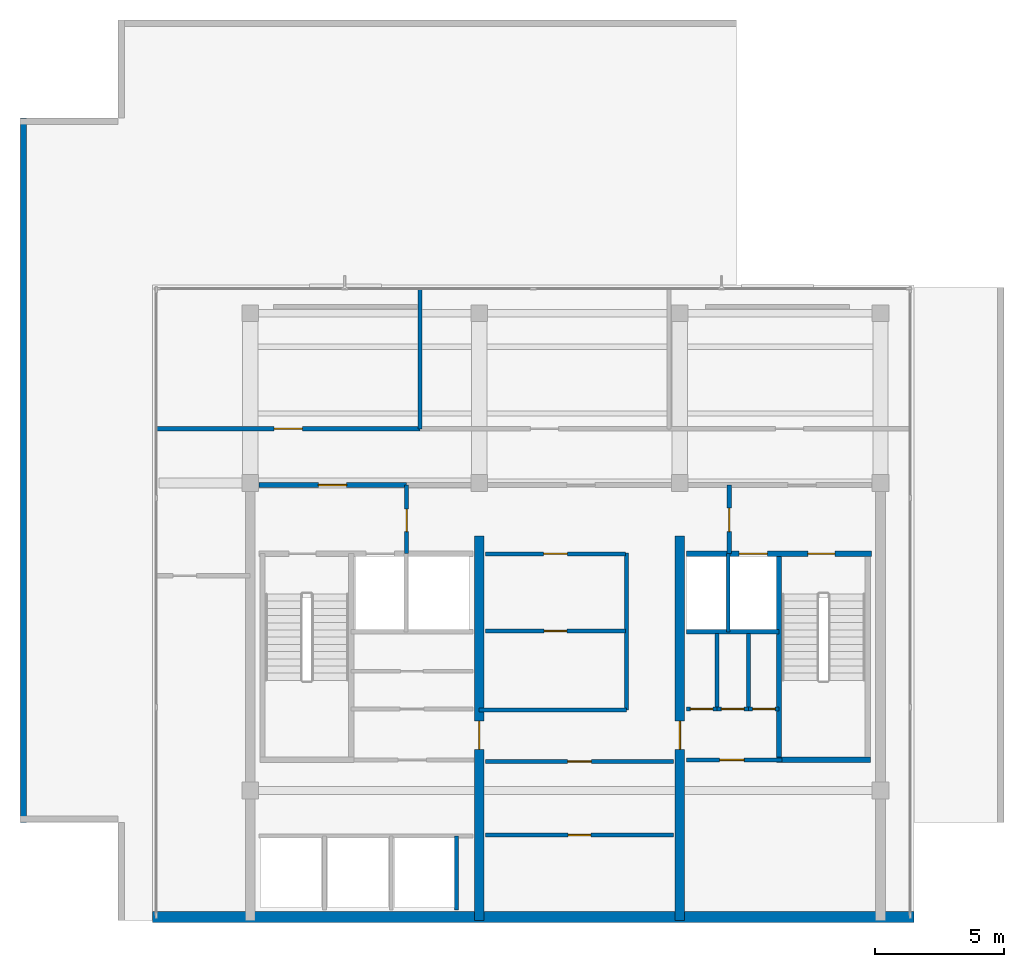
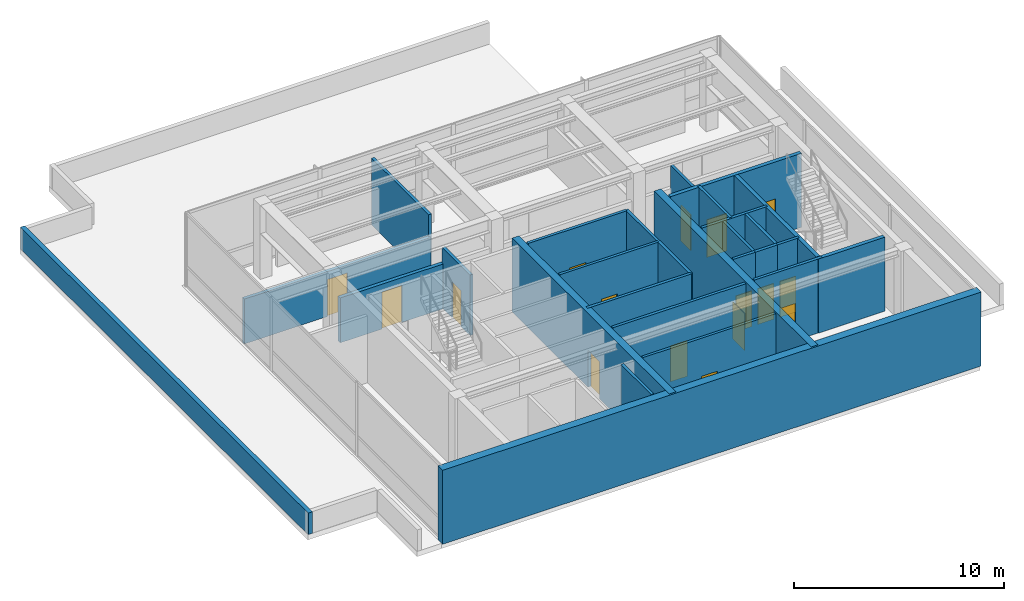
# One storey, part 3 of 6: 27 walls, 16 doors, 16 openings.
"""IFC4 building model written with IfcOpenShell, lengths in metres."""

import ifcopenshell
import ifcopenshell.guid

model = None  # the IFC model being written
_history = None  # IfcOwnerHistory: only IFC2X3 demands one
_inside = {}  # id of a spatial element -> (the spatial element, [elements in it])
_under = {}  # id of a project, library or spatial element -> (it, [spatial elements below it])
_declared = {}  # id of a project -> (the project, [libraries it declares])
_typed = {}  # id of a type object -> (the type object, [elements of that type])
_made_of = {}  # id of a material, layer set ... -> (it, [elements and type objects made of it])


def new_model(schema):
    """Start an empty IFC model of exactly this schema.

    Asked for "IFC4X3", IfcOpenShell would pick the latest addendum, in which some entities
    have other attributes; the version numbers below select the first issue.
    IFC2X3 requires an IfcOwnerHistory on every rooted entity: one is made here for all.
    """
    global model, _history
    if schema == "IFC4X3":
        model = ifcopenshell.file(schema_version=(4, 3, 0, 0))
    else:
        model = ifcopenshell.file(schema=schema)
    _inside.clear()
    _under.clear()
    _declared.clear()
    _typed.clear()
    _made_of.clear()
    _history = None
    if model.schema == "IFC2X3":
        org = make("IfcOrganization", Name="unknown")
        user = make(
            "IfcPersonAndOrganization",
            ThePerson=make("IfcPerson", FamilyName="unknown"),
            TheOrganization=org,
        )
        app = make(
            "IfcApplication",
            ApplicationDeveloper=org,
            Version="unknown",
            ApplicationFullName="unknown",
            ApplicationIdentifier="unknown",
        )
        _history = make(
            "IfcOwnerHistory",
            OwningUser=user,
            OwningApplication=app,
            ChangeAction="ADDED",
            CreationDate=0,
        )
    return model


def make(cls, **values):
    """One entity of the class cls with the attributes given. An attribute that is None is left unset."""
    return model.create_entity(
        cls, **{name: value for name, value in values.items() if value is not None}
    )


def rooted(cls, **values):
    """An entity with a GlobalId (a new one), such as an element, a storey or a relation."""
    return make(cls, GlobalId=ifcopenshell.guid.new(), OwnerHistory=_history, **values)


def si_unit(unit_type, name, prefix=None):
    """IfcSIUnit, for example si_unit("LENGTHUNIT", "METRE", prefix="MILLI")."""
    return make("IfcSIUnit", UnitType=unit_type, Prefix=prefix, Name=name)


def assignment(units):
    """IfcUnitAssignment: the units of a project."""
    return None if units is None else make("IfcUnitAssignment", Units=units)


def point(xyz):
    """IfcCartesianPoint."""
    return None if xyz is None else make("IfcCartesianPoint", Coordinates=xyz)


def direction(xyz):
    """IfcDirection."""
    return None if xyz is None else make("IfcDirection", DirectionRatios=xyz)


def frame(location, z_axis=None, x_axis=None):
    """IfcAxis2Placement3D, a coordinate frame: its origin and axes. An axis left out is left unset."""
    return make(
        "IfcAxis2Placement3D",
        Location=point(location),
        Axis=direction(z_axis),
        RefDirection=direction(x_axis),
    )


def frame_2d(location, x_axis=None):
    """IfcAxis2Placement2D, a coordinate frame in the plane: its origin and x axis."""
    return make(
        "IfcAxis2Placement2D", Location=point(location), RefDirection=direction(x_axis)
    )


def origin():
    """The frame at (0, 0, 0) with its axes left unset."""
    return frame((0.0, 0.0, 0.0))


def place(relative_to, where):
    """IfcLocalPlacement: puts the frame where relative to a parent placement (None: the world)."""
    return make(
        "IfcLocalPlacement", PlacementRelTo=relative_to, RelativePlacement=where
    )


def context(
    kind, dimensions, precision=None, world=None, true_north=None, identifier=None
):
    """IfcGeometricRepresentationContext, for example the 3D "Model" context."""
    return make(
        "IfcGeometricRepresentationContext",
        ContextIdentifier=identifier,
        ContextType=kind,
        CoordinateSpaceDimension=dimensions,
        Precision=precision,
        WorldCoordinateSystem=world,
        TrueNorth=true_north,
    )


def subcontext(parent, identifier, kind, view, scale=None):
    """IfcGeometricRepresentationSubContext, for example "Body" below "Model"."""
    return make(
        "IfcGeometricRepresentationSubContext",
        ContextIdentifier=identifier,
        ContextType=kind,
        ParentContext=parent,
        TargetScale=scale,
        TargetView=view,
    )


def project(units=None, contexts=None):
    """IfcProject with its units and contexts."""
    return rooted(
        "IfcProject",
        Name="project",
        RepresentationContexts=contexts,
        UnitsInContext=assignment(units),
    )


def spatial(cls, under=None, at=None, **own):
    """A site, building, storey or space (cls), placed at a placement, below another one or the project."""
    s = rooted(cls, ObjectPlacement=at, **own)
    if under is not None:
        _under.setdefault(under.id(), (under, []))[1].append(s)
    return s


def profile(cls, at=None, kind="AREA", **sizes):
    """A parametric profile (cls). Its sizes go by their IFC names, for example OverallWidth=200.0."""
    return make(cls, ProfileType=kind, Position=at, **sizes)


def rectangle(**sizes):
    """IfcRectangleProfileDef."""
    return profile("IfcRectangleProfileDef", **sizes)


def extrude(swept, where, along, depth):
    """IfcExtrudedAreaSolid: the profile swept, set in the frame where, extruded along a direction by depth."""
    return make(
        "IfcExtrudedAreaSolid",
        SweptArea=swept,
        Position=where,
        ExtrudedDirection=direction(along),
        Depth=depth,
    )


def shape(context_of_items, identifier, shape_type, items):
    """IfcShapeRepresentation: the items that make up one representation, for example the "Body"."""
    return make(
        "IfcShapeRepresentation",
        ContextOfItems=context_of_items,
        RepresentationIdentifier=identifier,
        RepresentationType=shape_type,
        Items=items,
    )


def material(Name=None, Category=None):
    """IfcMaterial."""
    return make("IfcMaterial", Name=Name, Category=Category)


def layer(
    of_material, thickness, ventilated=None, Name=None, Category=None, Priority=None
):
    """IfcMaterialLayer: one layer of a wall or slab, of a material (None: an air gap)."""
    return make(
        "IfcMaterialLayer",
        Material=of_material,
        LayerThickness=thickness,
        IsVentilated=ventilated,
        Name=Name,
        Category=Category,
        Priority=Priority,
    )


def layer_set(layers, Name=None):
    """IfcMaterialLayerSet."""
    return make("IfcMaterialLayerSet", MaterialLayers=layers, LayerSetName=Name)


def made_of(thing, what):
    """Note that an element or type object is made of a material, layer set ...; save() writes the relation."""
    if what is not None:
        _made_of.setdefault(what.id(), (what, []))[1].append(thing)
    return thing


def type_object(cls, material=None, **own):
    """A type object (cls), such as IfcWallType, which elements share."""
    return made_of(rooted(cls, **own), material)


def element(
    cls,
    number,
    at=None,
    inside=None,
    cuts=None,
    type_object=None,
    material=None,
    context=None,
    identifier="Body",
    shape_type=None,
    held_by="IfcProductDefinitionShape",
    body=None,
    shapes=None,
    **own,
):
    """One element of the class cls, such as IfcWall. Its Tag is "e" and its number.

    at: its placement. inside: the storey or other place that contains it. cuts: it is an
    opening in that element (IfcRelVoidsElement). A single representation is given by context,
    identifier, shape_type and body (its items); several are given by shapes. held_by: the class
    of the entity that holds the representations. save() writes the other relations.
    """
    e = rooted(cls, Tag="e%d" % number, ObjectPlacement=at, **own)
    if body is not None:
        shapes = [shape(context, identifier, shape_type, body)]
    if shapes is not None:
        e.Representation = make(held_by, Representations=shapes)
    if inside is not None:
        _inside.setdefault(inside.id(), (inside, []))[1].append(e)
    if cuts is not None:
        rooted(
            "IfcRelVoidsElement", RelatingBuildingElement=cuts, RelatedOpeningElement=e
        )
    if type_object is not None:
        _typed.setdefault(type_object.id(), (type_object, []))[1].append(e)
    return made_of(e, material)


def fill(opening, filler):
    """IfcRelFillsElement: the door or window that sits in an opening."""
    return rooted(
        "IfcRelFillsElement",
        RelatingOpeningElement=opening,
        RelatedBuildingElement=filler,
    )


def aggregate(whole, parts):
    """IfcRelAggregates: a whole, such as a stair, and the parts it consists of."""
    return rooted("IfcRelAggregates", RelatingObject=whole, RelatedObjects=parts)


def save(model, path):
    """Write the relations noted so far, then the file.

    IfcRelAggregates (storeys below a building ...), IfcRelContainedInSpatialStructure (elements
    in a storey), IfcRelDefinesByType, IfcRelAssociatesMaterial and IfcRelDeclares: one each for
    every whole, place, type object, material and project.
    """
    for whole, parts in _under.values():
        aggregate(whole, parts)
    for where, things in _inside.values():
        rooted(
            "IfcRelContainedInSpatialStructure",
            RelatedElements=things,
            RelatingStructure=where,
        )
    for kind, things in _typed.values():
        rooted("IfcRelDefinesByType", RelatedObjects=things, RelatingType=kind)
    for what, things in _made_of.values():
        rooted("IfcRelAssociatesMaterial", RelatedObjects=things, RelatingMaterial=what)
    for by, libraries in _declared.values():
        rooted("IfcRelDeclares", RelatingContext=by, RelatedDefinitions=libraries)
    model.write(path)


model = new_model("IFC4")

# Units and contexts
model_context = context("Model", 3, precision=1e-05, world=origin(), true_north=direction((0.0, 1.0)))
body_context = subcontext(model_context, "Body", "Model", "MODEL_VIEW")
ifc_project = project(units=[si_unit("LENGTHUNIT", "METRE"), si_unit("AREAUNIT", "SQUARE_METRE"), si_unit("VOLUMEUNIT", "CUBIC_METRE"), si_unit("PLANEANGLEUNIT", "RADIAN"), si_unit("MASSUNIT", "GRAM", prefix="KILO")], contexts=[model_context])

# Site, building, storey
site_placement = place(None, origin())
site = spatial("IfcSite", under=ifc_project, at=site_placement, CompositionType="ELEMENT")
building_placement = place(site_placement, origin())
building = spatial("IfcBuilding", under=site, at=building_placement, Name="Qalmaran Belvedere Hotel", CompositionType="ELEMENT")
storey_placement = place(building_placement, frame((0.0, 0.0, 298.699951171875)))
storey = spatial("IfcBuildingStorey", under=building, at=storey_placement, Name="C01", CompositionType="ELEMENT", Elevation=298.699951171875)

# Wall, opening, door
ifc_material_1 = material(Name="Concrete C50/60", Category="concrete")
ifc_layer_1 = layer(ifc_material_1, 0.3798828125, Name="Concrete C50/60")
ifc_layer_set_1 = layer_set([ifc_layer_1], Name="Concrete C50/60")
wall_type_1 = type_object("IfcWallType", Name="WL-CORE-380-C50", PredefinedType="SHEAR", material=ifc_layer_set_1)
wall_1_placement = place(storey_placement, frame((29.199951171875, 3.5, 0.0), z_axis=(0.0, 0.0, 1.0), x_axis=(0.0, 1.0, 0.0)))
wall_1 = element("IfcWall", 1, at=wall_1_placement, inside=storey, type_object=wall_type_1, Name="C01 Core West Spine Shear Wall", PredefinedType="SHEAR", context=body_context, shape_type="SweptSolid", body=[
    extrude(rectangle(XDim=14.949951171875, YDim=0.3798828125, at=frame_2d((7.47509765625, 0.0))), origin(), (0.0, 0.0, 1.0), 4.300048828125),
])
opening_1_placement = place(wall_1_placement, frame((7.75, 0.0, 0.0), z_axis=(0.0, 0.0, 1.0), x_axis=(-1.0, 0.0, 0.0)))
opening_1 = element("IfcOpeningElement", 2, at=opening_1_placement, cuts=wall_1, Name="Opening FD90", PredefinedType="OPENING", context=body_context, shape_type="SweptSolid", body=[
    extrude(rectangle(XDim=1.10009765625, YDim=2.14990234375, at=frame_2d((0.550048828125, 1.074951171875))), frame((0.0, 0.199951171875, 0.0), z_axis=(0.0, -1.0, 0.0), x_axis=(1.0, 0.0, 0.0)), (0.0, 0.0, 1.0), 0.39990234375),
])
ifc_material_2 = material(Name="Steel S355JR", Category="steel")
door_type_1 = type_object("IfcDoorType", Name="DR-FD90-1100X2150", OperationType="NOTDEFINED", PredefinedType="DOOR", material=ifc_material_2)
door_1_placement = place(opening_1_placement, origin())
door_1 = element("IfcDoor", 3, at=door_1_placement, inside=storey, type_object=door_type_1, Name="C01 Core West Cross-Lobby Door", OperationType="SINGLE_SWING_RIGHT", OverallHeight=2.14990234375, OverallWidth=1.10009765625, PredefinedType="DOOR", context=body_context, shape_type="SweptSolid", body=[
    extrude(rectangle(XDim=1.10009765625, YDim=2.14990234375, at=frame_2d((0.550048828125, 1.074951171875))), frame((0.0, 0.02490234375, 0.0), z_axis=(0.0, -1.0, 0.0), x_axis=(1.0, 0.0, 0.0)), (0.0, 0.0, 1.0), 0.050048828125),
])
fill(opening_1, door_1)

wall_2_placement = place(storey_placement, frame((37.0, 3.5, 0.0), z_axis=(0.0, 0.0, 1.0), x_axis=(0.0, 1.0, 0.0)))
wall_2 = element("IfcWall", 4, at=wall_2_placement, inside=storey, type_object=wall_type_1, Name="C01 Core East Spine Shear Wall", PredefinedType="SHEAR", context=body_context, shape_type="SweptSolid", body=[
    extrude(rectangle(XDim=14.949951171875, YDim=0.3798828125, at=frame_2d((7.47509765625, 0.0))), origin(), (0.0, 0.0, 1.0), 4.300048828125),
])
opening_2_placement = place(wall_2_placement, frame((6.64990234375, 0.0, 0.0)))
opening_2 = element("IfcOpeningElement", 5, at=opening_2_placement, cuts=wall_2, Name="Opening FD90", PredefinedType="OPENING", context=body_context, shape_type="SweptSolid", body=[
    extrude(rectangle(XDim=1.10009765625, YDim=2.14990234375, at=frame_2d((0.550048828125, 1.074951171875))), frame((0.0, 0.199951171875, 0.0), z_axis=(0.0, -1.0, 0.0), x_axis=(1.0, 0.0, 0.0)), (0.0, 0.0, 1.0), 0.39990234375),
])
door_2_placement = place(opening_2_placement, origin())
door_2 = element("IfcDoor", 6, at=door_2_placement, inside=storey, type_object=door_type_1, Name="C01 Core East Cross-Lobby Door", OperationType="SINGLE_SWING_LEFT", OverallHeight=2.14990234375, OverallWidth=1.10009765625, PredefinedType="DOOR", context=body_context, shape_type="SweptSolid", body=[
    extrude(rectangle(XDim=1.10009765625, YDim=2.14990234375, at=frame_2d((0.550048828125, 1.074951171875))), frame((0.0, 0.02490234375, 0.0), z_axis=(0.0, -1.0, 0.0), x_axis=(1.0, 0.0, 0.0)), (0.0, 0.0, 1.0), 0.050048828125),
])
fill(opening_2, door_2)

# Walls
ifc_layer_2 = layer(ifc_material_1, 0.43994140625, Name="Concrete C50/60")
ifc_layer_set_2 = layer_set([ifc_layer_2], Name="Concrete C50/60")
wall_type_2 = type_object("IfcWallType", Name="WL-CORES-440-EXT", PredefinedType="SHEAR", material=ifc_layer_set_2)
wall_3_placement = place(storey_placement, frame((16.5, 3.6298828125, 0.0), z_axis=(0.0, 0.0, 1.0), x_axis=(1.0, 0.0, 0.0)))
element("IfcWall", 7, at=wall_3_placement, inside=storey, type_object=wall_type_2, Name="C01 South Core Shear Wall", PredefinedType="SHEAR", context=body_context, shape_type="SweptSolid", body=[
    extrude(rectangle(XDim=29.60009765625, YDim=0.43994140625, at=frame_2d((14.800048828125, 0.0))), origin(), (0.0, 0.0, 1.0), 4.300048828125),
])
ifc_material_3 = material(Name="Gypsum Stud Partition")
ifc_layer_3 = layer(ifc_material_3, 0.14990234375, Name="Gypsum Stud Partition")
ifc_layer_set_3 = layer_set([ifc_layer_3], Name="Gypsum Stud Partition")
wall_type_3 = type_object("IfcWallType", Name="WL-INT-150-EI120", PredefinedType="PARTITIONING", material=ifc_layer_set_3)
wall_4_placement = place(storey_placement, frame((38.8798828125, 14.719970703125, 0.0), z_axis=(0.0, 0.0, 1.0), x_axis=(0.0, 1.0, 0.0)))
element("IfcWall", 8, at=wall_4_placement, inside=storey, type_object=wall_type_3, Name="C01 Partition WL-FF2M-C01", PredefinedType="PARTITIONING", context=body_context, shape_type="SweptSolid", body=[
    extrude(rectangle(XDim=3.0400390625, YDim=0.14990234375, at=frame_2d((1.52001953125, 0.0))), origin(), (0.0, 0.0, 1.0), 4.300048828125),
])
wall_5_placement = place(storey_placement, frame((28.320068359375, 3.89990234375, 0.0), z_axis=(0.0, 0.0, 1.0), x_axis=(0.0, 1.0, 0.0)))
element("IfcWall", 9, at=wall_5_placement, inside=storey, type_object=wall_type_3, Name="C01 Partition WL-POM3-C01", PredefinedType="PARTITIONING", context=body_context, shape_type="SweptSolid", body=[
    extrude(rectangle(XDim=2.880126953125, YDim=0.14990234375, at=frame_2d((1.43994140625, 0.0))), origin(), (0.0, 0.0, 1.0), 4.300048828125),
])
ifc_layer_4 = layer(ifc_material_3, 0.14990234375, Name="Gypsum Stud Partition")
ifc_layer_set_4 = layer_set([ifc_layer_4], Name="Gypsum Stud Partition")
wall_type_4 = type_object("IfcWallType", Name="WL-INT-150-EI60", PredefinedType="PARTITIONING", material=ifc_layer_set_4)
for number, where, z_axis, x_axis, name in (
    (10, (38.44140625, 11.719970703125, 0.0), (0.0, 0.0, 1.0), (0.0, 1.0, 0.0), "C01 Partition WL-C01-KEV1"),
    (11, (39.668701171875, 11.719970703125, 0.0), (0.0, 0.0, 1.0), (0.0, 1.0, 0.0), "C01 Partition WL-C01-KEV2"),
):
    element("IfcWall", number, at=place(storey_placement, frame(where, z_axis=z_axis, x_axis=x_axis)), inside=storey, type_object=wall_type_4, Name=name, PredefinedType="PARTITIONING", context=body_context, shape_type="SweptSolid", body=[
        extrude(rectangle(XDim=2.929931640625, YDim=0.14990234375, at=frame_2d((1.46484375, 0.0))), origin(), (0.0, 0.0, 1.0), 4.300048828125),
    ])

# Wall, opening, door
wall_6_placement = place(storey_placement, frame((29.449951171875, 6.81494140625, 0.0), z_axis=(0.0, 0.0, 1.0), x_axis=(1.0, 0.0, 0.0)))
wall_6 = element("IfcWall", 12, at=wall_6_placement, inside=storey, type_object=wall_type_4, Name="C01 Partition WL-C01-KPLHM", PredefinedType="PARTITIONING", context=body_context, shape_type="SweptSolid", body=[
    extrude(rectangle(XDim=7.300048828125, YDim=0.14990234375, at=frame_2d((3.64990234375, 0.0))), origin(), (0.0, 0.0, 1.0), 4.300048828125),
])
opening_3_placement = place(wall_6_placement, frame((4.08984375, 0.0, 0.0), z_axis=(0.0, 0.0, 1.0), x_axis=(-1.0, 0.0, 0.0)))
opening_3 = element("IfcOpeningElement", 13, at=opening_3_placement, cuts=wall_6, Name="Opening FD60B", PredefinedType="OPENING", context=body_context, shape_type="SweptSolid", body=[
    extrude(rectangle(XDim=0.8798828125, YDim=2.080078125, at=frame_2d((0.43994140625, 1.0400390625))), frame((0.0, 0.0849609375, 0.0), z_axis=(0.0, -1.0, 0.0), x_axis=(1.0, 0.0, 0.0)), (0.0, 0.0, 1.0), 0.169921875),
])
door_type_2 = type_object("IfcDoorType", Name="DR-FD60B-880X2080", OperationType="NOTDEFINED", PredefinedType="DOOR", material=ifc_material_2)
door_3_placement = place(opening_3_placement, origin())
door_3 = element("IfcDoor", 14, at=door_3_placement, inside=storey, type_object=door_type_2, Name="C01 Pressurisation Fan Plant Room Door", OperationType="SINGLE_SWING_LEFT", OverallHeight=2.080078125, OverallWidth=0.8798828125, PredefinedType="DOOR", context=body_context, shape_type="SweptSolid", body=[
    extrude(rectangle(XDim=0.8798828125, YDim=2.080078125, at=frame_2d((0.43994140625, 1.0400390625))), frame((0.0, 0.02490234375, 0.0), z_axis=(0.0, -1.0, 0.0), x_axis=(1.0, 0.0, 0.0)), (0.0, 0.0, 1.0), 0.050048828125),
])
fill(opening_3, door_3)

wall_7_placement = place(storey_placement, frame((29.449951171875, 14.7451171875, 0.0), z_axis=(0.0, 0.0, 1.0), x_axis=(1.0, 0.0, 0.0)))
wall_7 = element("IfcWall", 15, at=wall_7_placement, inside=storey, type_object=wall_type_4, Name="C01 Partition WL-C01-KPMHM", PredefinedType="PARTITIONING", context=body_context, shape_type="SweptSolid", body=[
    extrude(rectangle(XDim=5.429931640625, YDim=0.14990234375, at=frame_2d((2.71484375, 0.0))), origin(), (0.0, 0.0, 1.0), 4.300048828125),
])
opening_4_placement = place(wall_7_placement, frame((3.15478515625, 0.0, 0.0), z_axis=(0.0, 0.0, 1.0), x_axis=(-1.0, 0.0, 0.0)))
opening_4 = element("IfcOpeningElement", 16, at=opening_4_placement, cuts=wall_7, Name="Opening FD60B", PredefinedType="OPENING", context=body_context, shape_type="SweptSolid", body=[
    extrude(rectangle(XDim=0.8798828125, YDim=2.080078125, at=frame_2d((0.43994140625, 1.0400390625))), frame((0.0, 0.0849609375, 0.0), z_axis=(0.0, -1.0, 0.0), x_axis=(1.0, 0.0, 0.0)), (0.0, 0.0, 1.0), 0.169921875),
])
door_4_placement = place(opening_4_placement, origin())
door_4 = element("IfcDoor", 17, at=door_4_placement, inside=storey, type_object=door_type_2, Name="C01 Telecom UPS Plant Room Door", OperationType="SINGLE_SWING_LEFT", OverallHeight=2.080078125, OverallWidth=0.8798828125, PredefinedType="DOOR", context=body_context, shape_type="SweptSolid", body=[
    extrude(rectangle(XDim=0.8798828125, YDim=2.080078125, at=frame_2d((0.43994140625, 1.0400390625))), frame((0.0, 0.02490234375, 0.0), z_axis=(0.0, -1.0, 0.0), x_axis=(1.0, 0.0, 0.0)), (0.0, 0.0, 1.0), 0.050048828125),
])
fill(opening_4, door_4)

ifc_layer_5 = layer(ifc_material_3, 0.159912109375, Name="Gypsum Stud Partition")
ifc_layer_set_5 = layer_set([ifc_layer_5], Name="Gypsum Stud Partition")
wall_type_5 = type_object("IfcWallType", Name="WL-INT-160-EI120", PredefinedType="PARTITIONING", material=ifc_layer_set_5)
wall_8_placement = place(storey_placement, frame((26.3798828125, 17.760009765625, 0.0), z_axis=(0.0, 0.0, 1.0), x_axis=(0.0, 1.0, 0.0)))
wall_8 = element("IfcWall", 18, at=wall_8_placement, inside=storey, type_object=wall_type_5, Name="C01 Partition WL-FFSV1-C01", PredefinedType="PARTITIONING", context=body_context, shape_type="SweptSolid", body=[
    extrude(rectangle(XDim=2.659912109375, YDim=0.159912109375, at=frame_2d((1.330078125, 0.0))), origin(), (0.0, 0.0, 1.0), 3.511962890625),
])
opening_5_placement = place(wall_8_placement, frame((0.85009765625, 0.0, 0.0)))
opening_5 = element("IfcOpeningElement", 19, at=opening_5_placement, cuts=wall_8, Name="Opening FD60B", PredefinedType="OPENING", context=body_context, shape_type="SweptSolid", body=[
    extrude(rectangle(XDim=0.8798828125, YDim=2.080078125, at=frame_2d((0.43994140625, 1.0400390625))), frame((0.0, 0.08984375, 0.0), z_axis=(0.0, -1.0, 0.0), x_axis=(1.0, 0.0, 0.0)), (0.0, 0.0, 1.0), 0.179931640625),
])
door_5_placement = place(opening_5_placement, origin())
door_5 = element("IfcDoor", 20, at=door_5_placement, inside=storey, type_object=door_type_2, Name="C01 Service Lobby West Door", OperationType="SINGLE_SWING_RIGHT", OverallHeight=2.080078125, OverallWidth=0.8798828125, PredefinedType="DOOR", context=body_context, shape_type="SweptSolid", body=[
    extrude(rectangle(XDim=0.8798828125, YDim=2.080078125, at=frame_2d((0.43994140625, 1.0400390625))), frame((0.0, 0.02490234375, 0.0), z_axis=(0.0, -1.0, 0.0), x_axis=(1.0, 0.0, 0.0)), (0.0, 0.0, 1.0), 0.050048828125),
])
fill(opening_5, door_5)

wall_9_placement = place(storey_placement, frame((38.919921875, 17.760009765625, 0.0), z_axis=(0.0, 0.0, 1.0), x_axis=(0.0, 1.0, 0.0)))
wall_9 = element("IfcWall", 21, at=wall_9_placement, inside=storey, type_object=wall_type_5, Name="C01 Partition WL-FFSV2-C01", PredefinedType="PARTITIONING", context=body_context, shape_type="SweptSolid", body=[
    extrude(rectangle(XDim=2.659912109375, YDim=0.159912109375, at=frame_2d((1.330078125, 0.0))), origin(), (0.0, 0.0, 1.0), 3.885009765625),
])
opening_6_placement = place(wall_9_placement, frame((1.77001953125, 0.0, 0.0), z_axis=(0.0, 0.0, 1.0), x_axis=(-1.0, 0.0, 0.0)))
opening_6 = element("IfcOpeningElement", 22, at=opening_6_placement, cuts=wall_9, Name="Opening FD60S1", PredefinedType="OPENING", context=body_context, shape_type="SweptSolid", body=[
    extrude(rectangle(XDim=0.919921875, YDim=2.080078125, at=frame_2d((0.4599609375, 1.0400390625))), frame((0.0, 0.08984375, 0.0), z_axis=(0.0, -1.0, 0.0), x_axis=(1.0, 0.0, 0.0)), (0.0, 0.0, 1.0), 0.179931640625),
])
ifc_material_4 = material(Name="Engineered Oak Veneer")
door_type_3 = type_object("IfcDoorType", Name="DR-FD60S-920X2080", OperationType="NOTDEFINED", PredefinedType="DOOR", material=ifc_material_4)
door_6_placement = place(opening_6_placement, origin())
door_6 = element("IfcDoor", 23, at=door_6_placement, inside=storey, type_object=door_type_3, Name="C01 Service Lobby East Door", OperationType="SINGLE_SWING_LEFT", OverallHeight=2.080078125, OverallWidth=0.919921875, PredefinedType="DOOR", context=body_context, shape_type="SweptSolid", body=[
    extrude(rectangle(XDim=0.919921875, YDim=2.080078125, at=frame_2d((0.4599609375, 1.0400390625))), frame((0.0, 0.02490234375, 0.0), z_axis=(0.0, -1.0, 0.0), x_axis=(1.0, 0.0, 0.0)), (0.0, 0.0, 1.0), 0.050048828125),
])
fill(opening_6, door_6)

# Walls
wall_10_placement = place(storey_placement, frame((37.25, 14.719970703125, 0.0), z_axis=(0.0, 0.0, 1.0), x_axis=(1.0, 0.0, 0.0)))
element("IfcWall", 24, at=wall_10_placement, inside=storey, type_object=wall_type_5, Name="C01 Partition WL-FF2S-C01", PredefinedType="PARTITIONING", context=body_context, shape_type="SweptSolid", body=[
    extrude(rectangle(XDim=3.610107421875, YDim=0.159912109375, at=frame_2d((1.80517578125, 0.0))), origin(), (0.0, 0.0, 1.0), 4.300048828125),
])
wall_11_placement = place(storey_placement, frame((26.905029296875, 22.610107421875, 0.0), z_axis=(0.0, 0.0, 1.0), x_axis=(0.0, 1.0, 0.0)))
element("IfcWall", 25, at=wall_11_placement, inside=storey, type_object=wall_type_5, Name="C01 Partition WL-C01-CV1", PredefinedType="PARTITIONING", context=body_context, shape_type="SweptSolid", body=[
    extrude(rectangle(XDim=5.43994140625, YDim=0.159912109375, at=frame_2d((2.719970703125, 0.0))), origin(), (0.0, 0.0, 1.0), 3.885009765625),
])

# Wall, opening, door
ifc_layer_6 = layer(ifc_material_3, 0.159912109375, Name="Gypsum Stud Partition")
ifc_layer_set_6 = layer_set([ifc_layer_6], Name="Gypsum Stud Partition")
wall_type_6 = type_object("IfcWallType", Name="WL-INT-160-EI60", PredefinedType="PARTITIONING", material=ifc_layer_set_6)
wall_12_placement = place(storey_placement, frame((37.25, 11.719970703125, 0.0), z_axis=(0.0, 0.0, 1.0), x_axis=(1.0, 0.0, 0.0)))
wall_12 = element("IfcWall", 26, at=wall_12_placement, inside=storey, type_object=wall_type_6, Name="C01 Partition WL-C01-KEE1", PredefinedType="PARTITIONING", context=body_context, shape_type="SweptSolid", body=[
    extrude(rectangle(XDim=1.19140625, YDim=0.159912109375, at=frame_2d((0.595703125, 0.0))), origin(), (0.0, 0.0, 1.0), 4.300048828125),
])
opening_7_placement = place(wall_12_placement, frame((0.155517578125, 0.0, 0.0)))
opening_7 = element("IfcOpeningElement", 27, at=opening_7_placement, cuts=wall_12, Name="Opening FD60B", PredefinedType="OPENING", context=body_context, shape_type="SweptSolid", body=[
    extrude(rectangle(XDim=0.8798828125, YDim=2.080078125, at=frame_2d((0.43994140625, 1.0400390625))), frame((0.0, 0.08984375, 0.0), z_axis=(0.0, -1.0, 0.0), x_axis=(1.0, 0.0, 0.0)), (0.0, 0.0, 1.0), 0.179931640625),
])
door_7_placement = place(opening_7_placement, origin())
door_7 = element("IfcDoor", 28, at=door_7_placement, inside=storey, type_object=door_type_2, Name="C01 Fire Main Valve Plant Room Door", OperationType="SINGLE_SWING_LEFT", OverallHeight=2.080078125, OverallWidth=0.8798828125, PredefinedType="DOOR", context=body_context, shape_type="SweptSolid", body=[
    extrude(rectangle(XDim=0.8798828125, YDim=2.080078125, at=frame_2d((0.43994140625, 1.0400390625))), frame((0.0, 0.02490234375, 0.0), z_axis=(0.0, -1.0, 0.0), x_axis=(1.0, 0.0, 0.0)), (0.0, 0.0, 1.0), 0.050048828125),
])
fill(opening_7, door_7)

wall_13_placement = place(storey_placement, frame((38.44140625, 11.719970703125, 0.0), z_axis=(0.0, 0.0, 1.0), x_axis=(1.0, 0.0, 0.0)))
wall_13 = element("IfcWall", 29, at=wall_13_placement, inside=storey, type_object=wall_type_6, Name="C01 Partition WL-C01-KEE2", PredefinedType="PARTITIONING", context=body_context, shape_type="SweptSolid", body=[
    extrude(rectangle(XDim=1.227294921875, YDim=0.159912109375, at=frame_2d((0.61376953125, 0.0))), origin(), (0.0, 0.0, 1.0), 4.300048828125),
])
opening_8_placement = place(wall_13_placement, frame((0.173583984375, 0.0, 0.0)))
opening_8 = element("IfcOpeningElement", 30, at=opening_8_placement, cuts=wall_13, Name="Opening FD60B", PredefinedType="OPENING", context=body_context, shape_type="SweptSolid", body=[
    extrude(rectangle(XDim=0.8798828125, YDim=2.080078125, at=frame_2d((0.43994140625, 1.0400390625))), frame((0.0, 0.08984375, 0.0), z_axis=(0.0, -1.0, 0.0), x_axis=(1.0, 0.0, 0.0)), (0.0, 0.0, 1.0), 0.179931640625),
])
door_8_placement = place(opening_8_placement, origin())
door_8 = element("IfcDoor", 31, at=door_8_placement, inside=storey, type_object=door_type_2, Name="C01 Smoke Control Plant Room Door", OperationType="SINGLE_SWING_RIGHT", OverallHeight=2.080078125, OverallWidth=0.8798828125, PredefinedType="DOOR", context=body_context, shape_type="SweptSolid", body=[
    extrude(rectangle(XDim=0.8798828125, YDim=2.080078125, at=frame_2d((0.43994140625, 1.0400390625))), frame((0.0, 0.02490234375, 0.0), z_axis=(0.0, -1.0, 0.0), x_axis=(1.0, 0.0, 0.0)), (0.0, 0.0, 1.0), 0.050048828125),
])
fill(opening_8, door_8)

wall_14_placement = place(storey_placement, frame((39.668701171875, 11.719970703125, 0.0), z_axis=(0.0, 0.0, 1.0), x_axis=(1.0, 0.0, 0.0)))
wall_14 = element("IfcWall", 32, at=wall_14_placement, inside=storey, type_object=wall_type_6, Name="C01 Partition WL-C01-KEE3", PredefinedType="PARTITIONING", context=body_context, shape_type="SweptSolid", body=[
    extrude(rectangle(XDim=1.19140625, YDim=0.159912109375, at=frame_2d((0.595703125, 0.0))), origin(), (0.0, 0.0, 1.0), 4.300048828125),
])
opening_9_placement = place(wall_14_placement, frame((0.155517578125, 0.0, 0.0)))
opening_9 = element("IfcOpeningElement", 33, at=opening_9_placement, cuts=wall_14, Name="Opening FD60B", PredefinedType="OPENING", context=body_context, shape_type="SweptSolid", body=[
    extrude(rectangle(XDim=0.8798828125, YDim=2.080078125, at=frame_2d((0.43994140625, 1.0400390625))), frame((0.0, 0.08984375, 0.0), z_axis=(0.0, -1.0, 0.0), x_axis=(1.0, 0.0, 0.0)), (0.0, 0.0, 1.0), 0.179931640625),
])
door_9_placement = place(opening_9_placement, origin())
door_9 = element("IfcDoor", 34, at=door_9_placement, inside=storey, type_object=door_type_2, Name="C01 Low Voltage Switch Plant Room Door", OperationType="SINGLE_SWING_LEFT", OverallHeight=2.080078125, OverallWidth=0.8798828125, PredefinedType="DOOR", context=body_context, shape_type="SweptSolid", body=[
    extrude(rectangle(XDim=0.8798828125, YDim=2.080078125, at=frame_2d((0.43994140625, 1.0400390625))), frame((0.0, 0.02490234375, 0.0), z_axis=(0.0, -1.0, 0.0), x_axis=(1.0, 0.0, 0.0)), (0.0, 0.0, 1.0), 0.050048828125),
])
fill(opening_9, door_9)

wall_15_placement = place(storey_placement, frame((37.25, 9.739990234375, 0.0), z_axis=(0.0, 0.0, 1.0), x_axis=(1.0, 0.0, 0.0)))
wall_15 = element("IfcWall", 35, at=wall_15_placement, inside=storey, type_object=wall_type_6, Name="C01 Partition WL-PHFR-C01", PredefinedType="PARTITIONING", context=body_context, shape_type="SweptSolid", body=[
    extrude(rectangle(XDim=3.72998046875, YDim=0.159912109375, at=frame_2d((1.864990234375, 0.0))), origin(), (0.0, 0.0, 1.0), 4.300048828125),
])
opening_10_placement = place(wall_15_placement, frame((2.25, 0.0, 0.0), z_axis=(0.0, 0.0, 1.0), x_axis=(-1.0, 0.0, 0.0)))
opening_10 = element("IfcOpeningElement", 36, at=opening_10_placement, cuts=wall_15, Name="Opening FD60", PredefinedType="OPENING", context=body_context, shape_type="SweptSolid", body=[
    extrude(rectangle(XDim=0.949951171875, YDim=2.14990234375, at=frame_2d((0.47509765625, 1.074951171875))), frame((0.0, 0.08984375, 0.0), z_axis=(0.0, -1.0, 0.0), x_axis=(1.0, 0.0, 0.0)), (0.0, 0.0, 1.0), 0.179931640625),
])
door_type_4 = type_object("IfcDoorType", Name="DR-FD60-950X2150", OperationType="NOTDEFINED", PredefinedType="DOOR", material=ifc_material_4)
door_10_placement = place(opening_10_placement, origin())
door_10 = element("IfcDoor", 37, at=door_10_placement, inside=storey, type_object=door_type_4, Name="C01 Freed PH Room Door", OperationType="SINGLE_SWING_LEFT", OverallHeight=2.14990234375, OverallWidth=0.949951171875, PredefinedType="DOOR", context=body_context, shape_type="SweptSolid", body=[
    extrude(rectangle(XDim=0.949951171875, YDim=2.14990234375, at=frame_2d((0.47509765625, 1.074951171875))), frame((0.0, 0.02490234375, 0.0), z_axis=(0.0, -1.0, 0.0), x_axis=(1.0, 0.0, 0.0)), (0.0, 0.0, 1.0), 0.050048828125),
])
fill(opening_10, door_10)

# Wall
wall_16_placement = place(storey_placement, frame((34.919921875, 11.679931640625, 0.0), z_axis=(0.0, 0.0, 1.0), x_axis=(0.0, 1.0, 0.0)))
element("IfcWall", 38, at=wall_16_placement, inside=storey, type_object=wall_type_6, Name="C01 Partition WL-CLLV-C01", PredefinedType="PARTITIONING", context=body_context, shape_type="SweptSolid", body=[
    extrude(rectangle(XDim=6.10009765625, YDim=0.159912109375, at=frame_2d((3.050048828125, 0.0))), origin(), (0.0, 0.0, 1.0), 4.300048828125),
])

# Wall, opening, door
wall_17_placement = place(storey_placement, frame((29.449951171875, 9.679931640625, 0.0), z_axis=(0.0, 0.0, 1.0), x_axis=(1.0, 0.0, 0.0)))
wall_17 = element("IfcWall", 39, at=wall_17_placement, inside=storey, type_object=wall_type_6, Name="C01 Partition WL-C01-KPLE1", PredefinedType="PARTITIONING", context=body_context, shape_type="SweptSolid", body=[
    extrude(rectangle(XDim=7.300048828125, YDim=0.159912109375, at=frame_2d((3.64990234375, 0.0))), origin(), (0.0, 0.0, 1.0), 4.300048828125),
])
opening_11_placement = place(wall_17_placement, frame((4.10986328125, 0.0, 0.0), z_axis=(0.0, 0.0, 1.0), x_axis=(-1.0, 0.0, 0.0)))
opening_11 = element("IfcOpeningElement", 40, at=opening_11_placement, cuts=wall_17, Name="Opening FD60S1", PredefinedType="OPENING", context=body_context, shape_type="SweptSolid", body=[
    extrude(rectangle(XDim=0.919921875, YDim=2.080078125, at=frame_2d((0.4599609375, 1.0400390625))), frame((0.0, 0.08984375, 0.0), z_axis=(0.0, -1.0, 0.0), x_axis=(1.0, 0.0, 0.0)), (0.0, 0.0, 1.0), 0.179931640625),
])
door_11_placement = place(opening_11_placement, origin())
door_11 = element("IfcDoor", 41, at=door_11_placement, inside=storey, type_object=door_type_3, Name="C01 Chilled Water Header Plant Room Door", OperationType="SINGLE_SWING_RIGHT", OverallHeight=2.080078125, OverallWidth=0.919921875, PredefinedType="DOOR", context=body_context, shape_type="SweptSolid", body=[
    extrude(rectangle(XDim=0.919921875, YDim=2.080078125, at=frame_2d((0.4599609375, 1.0400390625))), frame((0.0, 0.02490234375, 0.0), z_axis=(0.0, -1.0, 0.0), x_axis=(1.0, 0.0, 0.0)), (0.0, 0.0, 1.0), 0.050048828125),
])
fill(opening_11, door_11)

# Wall
wall_18_placement = place(storey_placement, frame((29.199951171875, 11.679931640625, 0.0), z_axis=(0.0, 0.0, 1.0), x_axis=(1.0, 0.0, 0.0)))
element("IfcWall", 42, at=wall_18_placement, inside=storey, type_object=wall_type_6, Name="C01 Partition WL-PMFS-C01", PredefinedType="PARTITIONING", context=body_context, shape_type="SweptSolid", body=[
    extrude(rectangle(XDim=5.719970703125, YDim=0.159912109375, at=frame_2d((2.85986328125, 0.0))), origin(), (0.0, 0.0, 1.0), 4.300048828125),
])

# Wall, opening, door
wall_19_placement = place(storey_placement, frame((29.449951171875, 17.75, 0.0), z_axis=(0.0, 0.0, 1.0), x_axis=(1.0, 0.0, 0.0)))
wall_19 = element("IfcWall", 43, at=wall_19_placement, inside=storey, type_object=wall_type_6, Name="C01 Partition WL-C01-KPME1", PredefinedType="PARTITIONING", context=body_context, shape_type="SweptSolid", body=[
    extrude(rectangle(XDim=5.429931640625, YDim=0.159912109375, at=frame_2d((2.71484375, 0.0))), origin(), (0.0, 0.0, 1.0), 4.300048828125),
])
opening_12_placement = place(wall_19_placement, frame((3.1748046875, 0.0, 0.0), z_axis=(0.0, 0.0, 1.0), x_axis=(-1.0, 0.0, 0.0)))
opening_12 = element("IfcOpeningElement", 44, at=opening_12_placement, cuts=wall_19, Name="Opening FD60S1", PredefinedType="OPENING", context=body_context, shape_type="SweptSolid", body=[
    extrude(rectangle(XDim=0.919921875, YDim=2.080078125, at=frame_2d((0.4599609375, 1.0400390625))), frame((0.0, 0.08984375, 0.0), z_axis=(0.0, -1.0, 0.0), x_axis=(1.0, 0.0, 0.0)), (0.0, 0.0, 1.0), 0.179931640625),
])
door_12_placement = place(opening_12_placement, origin())
door_12 = element("IfcDoor", 45, at=door_12_placement, inside=storey, type_object=door_type_3, Name="C01 Auxiliary Fan Plant Room Door", OperationType="SINGLE_SWING_RIGHT", OverallHeight=2.080078125, OverallWidth=0.919921875, PredefinedType="DOOR", context=body_context, shape_type="SweptSolid", body=[
    extrude(rectangle(XDim=0.919921875, YDim=2.080078125, at=frame_2d((0.4599609375, 1.0400390625))), frame((0.0, 0.02490234375, 0.0), z_axis=(0.0, -1.0, 0.0), x_axis=(1.0, 0.0, 0.0)), (0.0, 0.0, 1.0), 0.050048828125),
])
fill(opening_12, door_12)

ifc_layer_7 = layer(ifc_material_3, 0.179931640625, Name="Gypsum Stud Partition")
ifc_layer_set_7 = layer_set([ifc_layer_7], Name="Gypsum Stud Partition")
wall_type_7 = type_object("IfcWallType", Name="WL-INT-180-EI120", PredefinedType="PARTITIONING", material=ifc_layer_set_7)
wall_20_placement = place(storey_placement, frame((16.64990234375, 22.610107421875, 0.0), z_axis=(0.0, 0.0, 1.0), x_axis=(1.0, 0.0, 0.0)))
wall_20 = element("IfcWall", 46, at=wall_20_placement, inside=storey, type_object=wall_type_7, Name="C01 Partition WL-C01-CCN1", PredefinedType="PARTITIONING", context=body_context, shape_type="SweptSolid", body=[
    extrude(rectangle(XDim=10.255126953125, YDim=0.179931640625, at=frame_2d((5.12744140625, 0.0))), origin(), (0.0, 0.0, 1.0), 2.60498046875),
])
opening_13_placement = place(wall_20_placement, frame((4.577392578125, 0.0, 0.0)))
opening_13 = element("IfcOpeningElement", 47, at=opening_13_placement, cuts=wall_20, Name="Opening FD90", PredefinedType="OPENING", context=body_context, shape_type="SweptSolid", body=[
    extrude(rectangle(XDim=1.10009765625, YDim=2.14990234375, at=frame_2d((0.550048828125, 1.074951171875))), frame((0.0, 0.10009765625, 0.0), z_axis=(0.0, -1.0, 0.0), x_axis=(1.0, 0.0, 0.0)), (0.0, 0.0, 1.0), 0.199951171875),
])
door_13_placement = place(opening_13_placement, origin())
door_13 = element("IfcDoor", 48, at=door_13_placement, inside=storey, type_object=door_type_1, Name="C01 Heat Rejection Chiller Plant Room Door", OperationType="SINGLE_SWING_RIGHT", OverallHeight=2.14990234375, OverallWidth=1.10009765625, PredefinedType="DOOR", context=body_context, shape_type="SweptSolid", body=[
    extrude(rectangle(XDim=1.10009765625, YDim=2.14990234375, at=frame_2d((0.550048828125, 1.074951171875))), frame((0.0, 0.02490234375, 0.0), z_axis=(0.0, -1.0, 0.0), x_axis=(1.0, 0.0, 0.0)), (0.0, 0.0, 1.0), 0.050048828125),
])
fill(opening_13, door_13)

ifc_material_5 = material(Name="Concrete C30/37 Blockwork", Category="masonry")
ifc_layer_8 = layer(ifc_material_5, 0.199951171875, Name="Concrete C30/37 Blockwork")
ifc_layer_set_8 = layer_set([ifc_layer_8], Name="Concrete C30/37 Blockwork")
wall_type_8 = type_object("IfcWallType", Name="WL-INT-200-EI120", PredefinedType="PARTITIONING", material=ifc_layer_set_8)
wall_21_placement = place(storey_placement, frame((20.64990234375, 20.419921875, 0.0), z_axis=(0.0, 0.0, 1.0), x_axis=(1.0, 0.0, 0.0)))
wall_21 = element("IfcWall", 49, at=wall_21_placement, inside=storey, type_object=wall_type_8, Name="C01 Partition WL-CN1A-C01", PredefinedType="PARTITIONING", context=body_context, shape_type="SweptSolid", body=[
    extrude(rectangle(XDim=5.72998046875, YDim=0.199951171875, at=frame_2d((2.864990234375, 0.0))), origin(), (0.0, 0.0, 1.0), 2.60498046875),
])
opening_14_placement = place(wall_21_placement, frame((2.300048828125, 0.0, 0.0)))
opening_14 = element("IfcOpeningElement", 50, at=opening_14_placement, cuts=wall_21, Name="Opening FD90", PredefinedType="OPENING", context=body_context, shape_type="SweptSolid", body=[
    extrude(rectangle(XDim=1.10009765625, YDim=2.14990234375, at=frame_2d((0.550048828125, 1.074951171875))), frame((0.0, 0.10986328125, 0.0), z_axis=(0.0, -1.0, 0.0), x_axis=(1.0, 0.0, 0.0)), (0.0, 0.0, 1.0), 0.219970703125),
])
door_14_placement = place(opening_14_placement, origin())
door_14 = element("IfcDoor", 51, at=door_14_placement, inside=storey, type_object=door_type_1, Name="C01 FF1 Lobby Corridor Door", OperationType="SINGLE_SWING_RIGHT", OverallHeight=2.14990234375, OverallWidth=1.10009765625, PredefinedType="DOOR", context=body_context, shape_type="SweptSolid", body=[
    extrude(rectangle(XDim=1.10009765625, YDim=2.14990234375, at=frame_2d((0.550048828125, 1.074951171875))), frame((0.0, 0.02490234375, 0.0), z_axis=(0.0, -1.0, 0.0), x_axis=(1.0, 0.0, 0.0)), (0.0, 0.0, 1.0), 0.050048828125),
])
fill(opening_14, door_14)

# Walls
ifc_material_6 = material(Name="Concrete C40/50", Category="concrete")
ifc_layer_9 = layer(ifc_material_6, 0.239990234375, Name="Concrete C40/50")
ifc_layer_set_9 = layer_set([ifc_layer_9], Name="Concrete C40/50")
wall_type_9 = type_object("IfcWallType", Name="WL-PARAPET-240", PredefinedType="PARAPET", material=ifc_layer_set_9)
wall_22_placement = place(storey_placement, frame((11.489990234375, 34.699951171875, 0.0), z_axis=(0.0, 0.0, 1.0), x_axis=(0.0, -1.0, 0.0)))
element("IfcWall", 52, at=wall_22_placement, inside=storey, type_object=wall_type_9, Name="C01 Roof Parapet 10", PredefinedType="PARAPET", context=body_context, shape_type="SweptSolid", body=[
    extrude(rectangle(XDim=27.39990234375, YDim=0.239990234375, at=frame_2d((13.699951171875, 0.0))), origin(), (0.0, 0.0, 1.0), 1.25),
])
ifc_layer_10 = layer(ifc_material_1, 0.2099609375, Name="Concrete C50/60")
ifc_layer_set_10 = layer_set([ifc_layer_10], Name="Concrete C50/60")
wall_type_10 = type_object("IfcWallType", Name="WL-STAIR-210-C50", PredefinedType="SHEAR", material=ifc_layer_set_10)
wall_23_placement = place(storey_placement, frame((40.85498046875, 9.7451171875, 0.0), z_axis=(0.0, 0.0, 1.0), x_axis=(0.0, 1.0, 0.0)))
element("IfcWall", 53, at=wall_23_placement, inside=storey, type_object=wall_type_10, Name="C01 Stair ST-2 West Bearing Wall", PredefinedType="SHEAR", context=body_context, shape_type="SweptSolid", body=[
    extrude(rectangle(XDim=8.009765625, YDim=0.2099609375, at=frame_2d((4.0048828125, 0.0))), origin(), (0.0, 0.0, 1.0), 4.300048828125),
])
wall_24_placement = place(storey_placement, frame((40.75, 9.7451171875, 0.0), z_axis=(0.0, 0.0, 1.0), x_axis=(1.0, 0.0, 0.0)))
element("IfcWall", 54, at=wall_24_placement, inside=storey, type_object=wall_type_10, Name="C01 Stair ST-2 South Bearing Wall", PredefinedType="SHEAR", context=body_context, shape_type="SweptSolid", body=[
    extrude(rectangle(XDim=3.659912109375, YDim=0.2099609375, at=frame_2d((1.830078125, 0.0))), origin(), (0.0, 0.0, 1.0), 4.300048828125),
])

# Wall, openings, doors
wall_25_placement = place(storey_placement, frame((37.25, 17.7548828125, 0.0), z_axis=(0.0, 0.0, 1.0), x_axis=(1.0, 0.0, 0.0)))
wall_25 = element("IfcWall", 55, at=wall_25_placement, inside=storey, type_object=wall_type_10, Name="C01 East Lobby and Stair ST-2 North Bearing Wall", PredefinedType="SHEAR", context=body_context, shape_type="SweptSolid", body=[
    extrude(rectangle(XDim=7.199951171875, YDim=0.2099609375, at=frame_2d((3.60009765625, 0.0))), origin(), (0.0, 0.0, 1.0), 4.300048828125),
])
opening_15_placement = place(wall_25_placement, frame((2.050048828125, 0.0, 0.0)))
opening_15 = element("IfcOpeningElement", 56, at=opening_15_placement, cuts=wall_25, Name="Opening LD-FF", PredefinedType="OPENING", context=body_context, shape_type="SweptSolid", body=[
    extrude(rectangle(XDim=1.10009765625, YDim=2.179931640625, at=frame_2d((0.550048828125, 1.08984375))), frame((0.0, 0.114990234375, 0.0), z_axis=(0.0, -1.0, 0.0), x_axis=(1.0, 0.0, 0.0)), (0.0, 0.0, 1.0), 0.22998046875),
])
opening_16_placement = place(wall_25_placement, frame((5.780029296875, 0.0, 0.0), z_axis=(0.0, 0.0, 1.0), x_axis=(-1.0, 0.0, 0.0)))
opening_16 = element("IfcOpeningElement", 57, at=opening_16_placement, cuts=wall_25, Name="Opening FD90S2", PredefinedType="OPENING", context=body_context, shape_type="SweptSolid", body=[
    extrude(rectangle(XDim=1.050048828125, YDim=2.14990234375, at=frame_2d((0.52490234375, 1.074951171875))), frame((0.0, 0.114990234375, 0.0), z_axis=(0.0, -1.0, 0.0), x_axis=(1.0, 0.0, 0.0)), (0.0, 0.0, 1.0), 0.22998046875),
])
door_type_5 = type_object("IfcDoorType", Name="DR-FD90S-1050X2150", OperationType="NOTDEFINED", PredefinedType="DOOR", material=ifc_material_2)
door_15_placement = place(opening_16_placement, origin())
door_15 = element("IfcDoor", 58, at=door_15_placement, inside=storey, type_object=door_type_5, Name="C01 Stair ST-2 Door", OperationType="SINGLE_SWING_LEFT", OverallHeight=2.14990234375, OverallWidth=1.050048828125, PredefinedType="DOOR", context=body_context, shape_type="SweptSolid", body=[
    extrude(rectangle(XDim=1.050048828125, YDim=2.14990234375, at=frame_2d((0.52490234375, 1.074951171875))), frame((0.0, 0.02490234375, 0.0), z_axis=(0.0, -1.0, 0.0), x_axis=(1.0, 0.0, 0.0)), (0.0, 0.0, 1.0), 0.050048828125),
])
fill(opening_16, door_15)
ifc_material_7 = material(Name="Stainless Steel 1.4401", Category="steel")
door_type_6 = type_object("IfcDoorType", Name="DR-LIFT-FF-1100X2180", OperationType="DOUBLE_DOOR_SLIDING", PredefinedType="DOOR", material=ifc_material_7)
door_16_placement = place(opening_15_placement, origin())
door_16 = element("IfcDoor", 59, at=door_16_placement, inside=storey, type_object=door_type_6, Name="C01 FF2 Lift Landing Door", OperationType="DOUBLE_DOOR_SLIDING", OverallHeight=2.179931640625, OverallWidth=1.10009765625, PredefinedType="DOOR", context=body_context, shape_type="SweptSolid", body=[
    extrude(rectangle(XDim=1.10009765625, YDim=2.179931640625, at=frame_2d((0.550048828125, 1.08984375))), frame((0.0, 0.02490234375, 0.0), z_axis=(0.0, -1.0, 0.0), x_axis=(1.0, 0.0, 0.0)), (0.0, 0.0, 1.0), 0.050048828125),
])
fill(opening_15, door_16)

save(model, "model.ifc")
